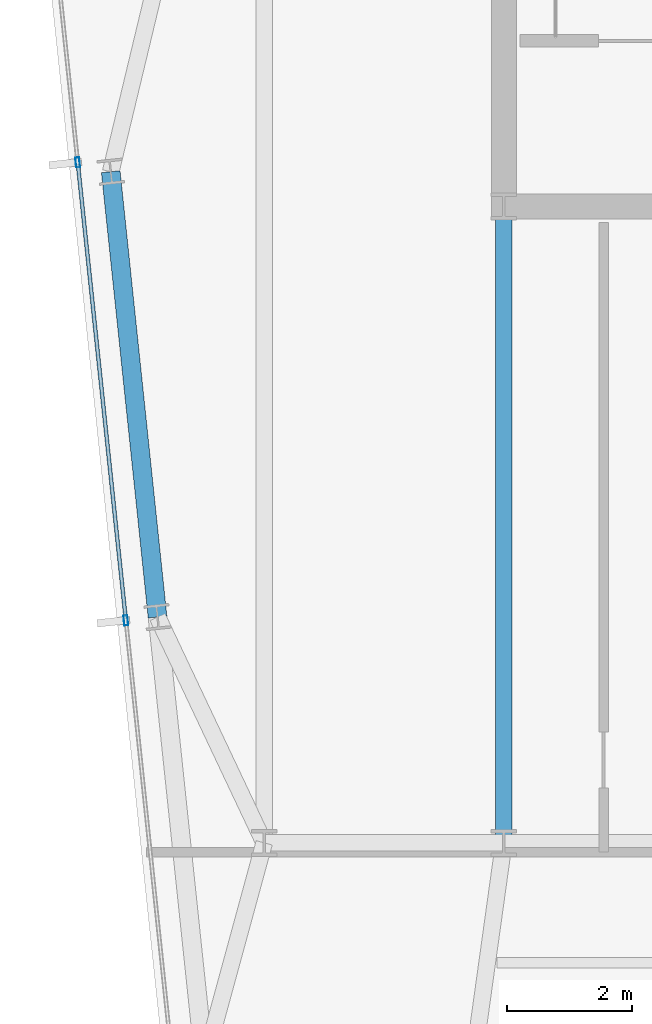
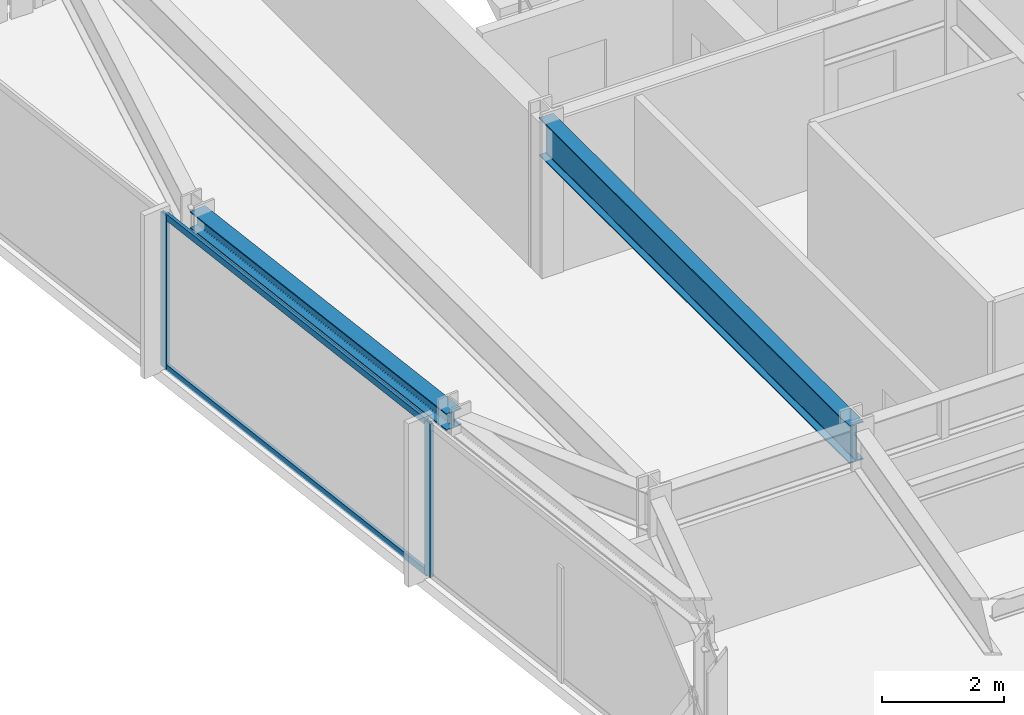
# One storey, part 10 of 33: 4 members, 2 beams, 1 element without a shape of its own.
"""IFC4 building model written with IfcOpenShell, lengths in metres."""

from ifc_helpers import new_model, si_unit, direction, frame, origin, origin_2d, place, context, subcontext, project, spatial, hollow_rectangle, i_section, extrude, material, material_profile, profile_set, type_object, element, aggregate, save


model = new_model("IFC4")

# Units and contexts
model_context = context("Model", 3, precision=1e-05, world=origin(), true_north=direction((0.0, 1.0)))
body_context = subcontext(model_context, "Body", "Model", "MODEL_VIEW")
ifc_project = project(units=[si_unit("LENGTHUNIT", "METRE"), si_unit("AREAUNIT", "SQUARE_METRE"), si_unit("VOLUMEUNIT", "CUBIC_METRE"), si_unit("PLANEANGLEUNIT", "RADIAN"), si_unit("MASSUNIT", "GRAM", prefix="KILO")], contexts=[model_context])

# Site, building, storey
site_placement = place(None, origin())
site = spatial("IfcSite", under=ifc_project, at=site_placement, CompositionType="ELEMENT")
building_placement = place(site_placement, origin())
building = spatial("IfcBuilding", under=site, at=building_placement, Name="Yelkora Congress Tower", CompositionType="ELEMENT")
storey_placement = place(building_placement, frame((0.0, 0.0, 240.800048828125)))
storey = spatial("IfcBuildingStorey", under=building, at=storey_placement, Name="L67", CompositionType="ELEMENT", Elevation=240.800048828125)

# Beams
ifc_material_1 = material(Name="Steel S355J2", Category="steel")
ifc_material_profile_1 = material_profile(ifc_material_1, i_section(OverallWidth=0.26708984375, OverallDepth=0.761962890625, WebThickness=0.014404296875, FlangeThickness=0.021484375, FilletRadius=0.01708984375, at=origin_2d()), Name="IPE 750x173")
ifc_profile_set_1 = profile_set([ifc_material_profile_1], Name="Steel S355J2")
beam_type_1 = type_object("IfcBeamType", Name="BM-GIRD-IPE750", PredefinedType="BEAM", material=ifc_profile_set_1)
beam_1_placement = place(storey_placement, frame((23.0400390625, 25.199951171875, 2.698974609375), z_axis=(0.0, 1.0, 0.0), x_axis=(-1.0, 0.0, 0.0)))
element("IfcBeam", 1, at=beam_1_placement, inside=storey, type_object=beam_type_1, Name="L67 Core Tie Girder MC-D1", PredefinedType="BEAM", context=body_context, shape_type="SweptSolid", body=[
    extrude(i_section(OverallWidth=0.26708984375, OverallDepth=0.761962890625, WebThickness=0.014404296875, FlangeThickness=0.021484375, FilletRadius=0.01708984375, at=origin_2d()), origin(), (0.0, 0.0, 1.0), 10.199951171875),
])
ifc_material_profile_2 = material_profile(ifc_material_1, i_section(OverallWidth=0.300048828125, OverallDepth=0.340087890625, WebThickness=0.011962890625, FlangeThickness=0.021484375, FilletRadius=0.027099609375, at=origin_2d()), Name="HEB 340")
ifc_profile_set_2 = profile_set([ifc_material_profile_2], Name="Steel S355J2")
beam_type_2 = type_object("IfcBeamType", Name="BM-SPAN-HEB340", PredefinedType="SPANDREL", material=ifc_profile_set_2)
beam_2_placement = place(storey_placement, frame((16.7412109375, 35.95458984375, 2.909912109375), z_axis=(0.104528914631, -0.994521847928, 0.0), x_axis=(0.994521847928, 0.104528914631, 0.0)))
element("IfcBeam", 2, at=beam_2_placement, inside=storey, type_object=beam_type_2, Name="L67 Perimeter Beam 17", PredefinedType="SPANDREL", context=body_context, shape_type="SweptSolid", body=[
    extrude(i_section(OverallWidth=0.300048828125, OverallDepth=0.340087890625, WebThickness=0.011962890625, FlangeThickness=0.021484375, FilletRadius=0.027099609375, at=origin_2d()), origin(), (0.0, 0.0, 1.0), 7.175048828125),
])

# Curtain wall, members
ifc_material_2 = material(Name="Anodised aluminium and insulated glass", Category="aluminium")
curtain_wall_type = type_object("IfcCurtainWallType", Name="CW-SYS-B4", PredefinedType="NOTDEFINED", material=ifc_material_2)
curtain_wall_placement = place(storey_placement, origin())
curtain_wall = element("IfcCurtainWall", 3, at=curtain_wall_placement, inside=storey, type_object=curtain_wall_type, Name="L67 Unitised Curtain Wall 5", PredefinedType="NOTDEFINED")
ifc_material_3 = material(Name="Anodised aluminium 6063-T6", Category="aluminium")
ifc_material_profile_3 = material_profile(ifc_material_3, hollow_rectangle(XDim=0.06494140625, YDim=0.159912109375, WallThickness=0.00390625, at=origin_2d()), Name="ALU 65x160x4")
ifc_profile_set_3 = profile_set([ifc_material_profile_3], Name="Anodised aluminium 6063-T6")
member_type_1 = type_object("IfcMemberType", Name="MEM-ML-B4", PredefinedType="MULLION", material=ifc_profile_set_3)
member_1_placement = place(storey_placement, frame((16.98388671875, 28.765625, 0.0), z_axis=(0.0, 0.0, 1.0), x_axis=(-0.994522145958, -0.104526079034, 0.0)))
member_1 = element("IfcMember", 4, at=member_1_placement, type_object=member_type_1, Name="CW-B4 mullion 3", PredefinedType="MULLION", context=body_context, shape_type="SweptSolid", body=[
    extrude(hollow_rectangle(XDim=0.06494140625, YDim=0.159912109375, WallThickness=0.00390625, at=origin_2d()), origin(), (0.0, 0.0, 1.0), 3.079833984375),
])
member_2_placement = place(storey_placement, frame((16.21240234375, 36.105224609375, 0.0), z_axis=(0.0, 0.0, 1.0), x_axis=(-0.994522145958, -0.104526079034, 0.0)))
member_2 = element("IfcMember", 5, at=member_2_placement, type_object=member_type_1, Name="CW-B4 mullion 4", PredefinedType="MULLION", context=body_context, shape_type="SweptSolid", body=[
    extrude(hollow_rectangle(XDim=0.06494140625, YDim=0.159912109375, WallThickness=0.00390625, at=origin_2d()), origin(), (0.0, 0.0, 1.0), 3.079833984375),
])
ifc_material_profile_4 = material_profile(ifc_material_3, hollow_rectangle(XDim=0.06005859375, YDim=0.1298828125, WallThickness=0.00390625, at=origin_2d()), Name="ALU 60x130x4")
ifc_profile_set_4 = profile_set([ifc_material_profile_4], Name="Anodised aluminium 6063-T6")
member_type_2 = type_object("IfcMemberType", Name="MEM-TR-B4", PredefinedType="USERDEFINED", material=ifc_profile_set_4)
member_3_placement = place(storey_placement, frame((16.98046875, 28.7978515625, 0.030029296875), z_axis=(-0.104531896307, 0.994521534535, 0.0), x_axis=(-0.994521534535, -0.104531896307, 0.0)))
member_3 = element("IfcMember", 6, at=member_3_placement, type_object=member_type_2, Name="CW-B4 transom 3.1", ObjectType="TRANSOM", PredefinedType="USERDEFINED", context=body_context, shape_type="SweptSolid", body=[
    extrude(hollow_rectangle(XDim=0.06005859375, YDim=0.1298828125, WallThickness=0.00390625, at=origin_2d()), origin(), (0.0, 0.0, 1.0), 7.31494140625),
])
member_4_placement = place(storey_placement, frame((16.98046875, 28.7978515625, 3.050048828125), z_axis=(-0.104531896307, 0.994521534535, 0.0), x_axis=(-0.994521534535, -0.104531896307, 0.0)))
member_4 = element("IfcMember", 7, at=member_4_placement, type_object=member_type_2, Name="CW-B4 transom 3.2", ObjectType="TRANSOM", PredefinedType="USERDEFINED", context=body_context, shape_type="SweptSolid", body=[
    extrude(hollow_rectangle(XDim=0.06005859375, YDim=0.1298828125, WallThickness=0.00390625, at=origin_2d()), origin(), (0.0, 0.0, 1.0), 7.31494140625),
])
aggregate(curtain_wall, [member_1, member_2, member_3, member_4])

save(model, "model.ifc")
